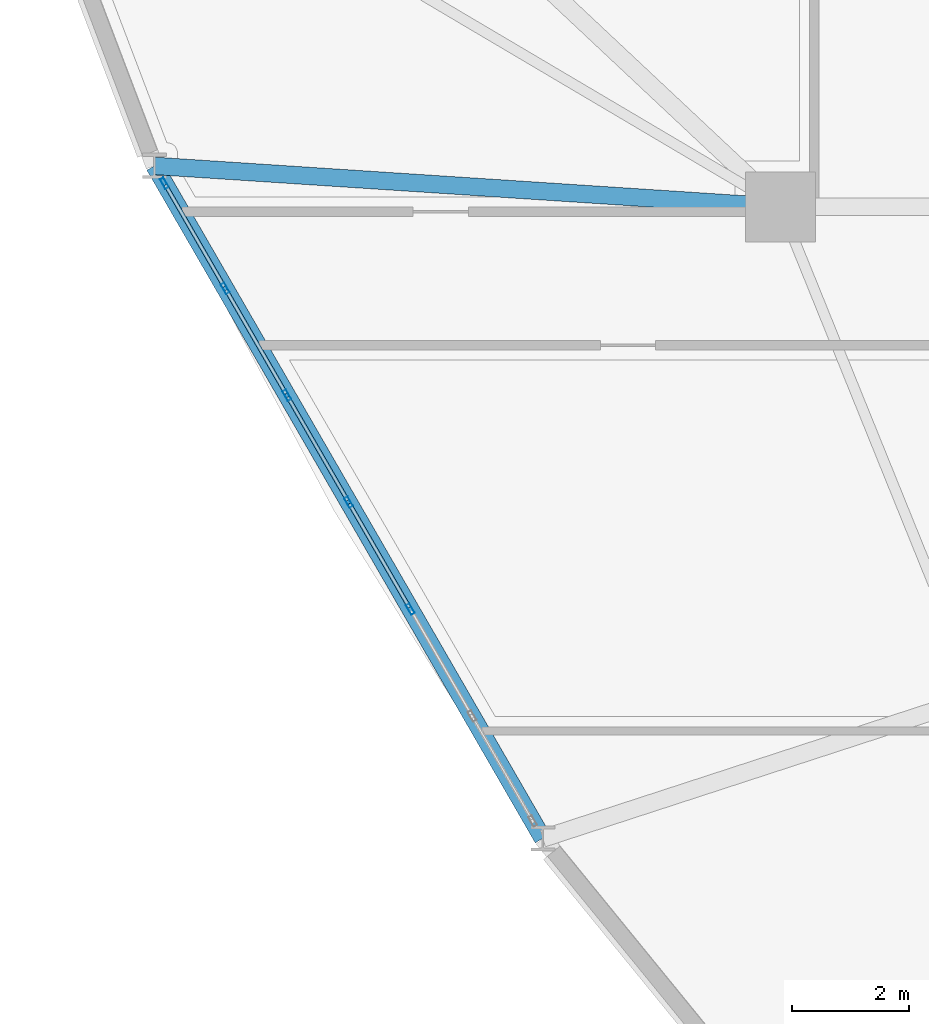
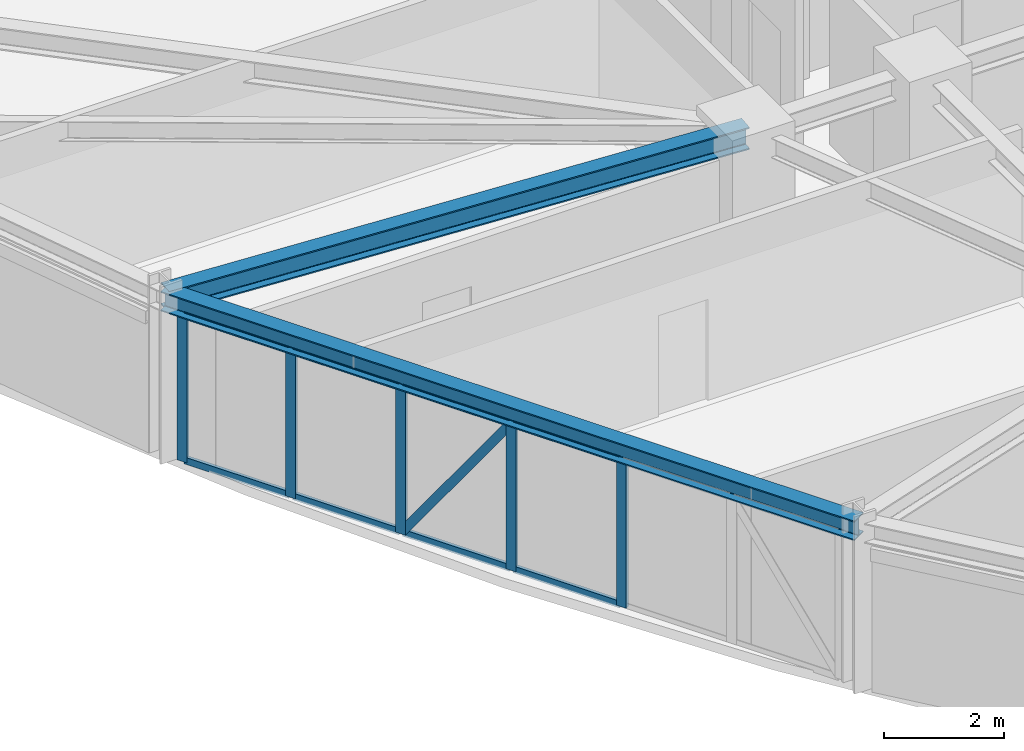
# One storey, part 4 of 18: 14 members, 2 beams, 1 element without a shape of its own.
"""IFC4 building model written with IfcOpenShell, lengths in metres."""

from ifc_helpers import new_model, si_unit, derived_unit, direction, frame, origin, origin_2d, place, context, subcontext, project, spatial, hollow_rectangle, i_section, extrude, source, transform, mapped, material, layer, layer_set, material_profile, profile_set, type_object, element, aggregate, save


model = new_model("IFC4")

# Units and contexts
model_context = context("Model", 3, precision=1e-05, world=origin(), true_north=direction((0.0, 1.0)))
body_context = subcontext(model_context, "Body", "Model", "MODEL_VIEW")
ifc_project = project(units=[si_unit("LENGTHUNIT", "METRE"), si_unit("AREAUNIT", "SQUARE_METRE"), si_unit("VOLUMEUNIT", "CUBIC_METRE"), si_unit("PLANEANGLEUNIT", "RADIAN"), si_unit("MASSUNIT", "GRAM", prefix="KILO"), derived_unit("THERMALTRANSMITTANCEUNIT", [(si_unit("POWERUNIT", "WATT"), 1), (si_unit("LENGTHUNIT", "METRE"), -2), (si_unit("THERMODYNAMICTEMPERATUREUNIT", "KELVIN"), -1)])], contexts=[model_context])

# Site, building, storey
site_placement = place(None, origin())
site = spatial("IfcSite", under=ifc_project, at=site_placement, CompositionType="ELEMENT")
building_placement = place(site_placement, origin())
building = spatial("IfcBuilding", under=site, at=building_placement, Name="Korsvarv Bourse and Concert Hall", CompositionType="ELEMENT")
storey_placement = place(building_placement, frame((0.0, 0.0, 139.800048828125)))
storey = spatial("IfcBuildingStorey", under=building, at=storey_placement, Name="L35", CompositionType="ELEMENT", Elevation=139.800048828125)

# Beams
ifc_material_1 = material(Name="Steel S355", Category="steel")
ifc_material_profile_1 = material_profile(ifc_material_1, i_section(OverallWidth=0.300048828125, OverallDepth=0.39990234375, WebThickness=0.013427734375, FlangeThickness=0.02392578125, FilletRadius=0.02099609375, at=origin_2d()), Name="HEB 400")
ifc_profile_set_1 = profile_set([ifc_material_profile_1], Name="Steel S355")
beam_type_1 = type_object("IfcBeamType", Name="BM-HEB400", PredefinedType="SPANDREL", material=ifc_profile_set_1)
shared_shape_1 = source(origin(), body_context, "Body", "SweptSolid", [
    extrude(i_section(OverallWidth=0.300048828125, OverallDepth=0.39990234375, WebThickness=0.013427734375, FlangeThickness=0.02392578125, FilletRadius=0.02099609375, at=origin_2d()), origin(), (0.0, 0.0, 1.0), 13.32763671875),
])
beam_1_placement = place(storey_placement, frame((13.453857421875, 33.1025390625, 3.199951171875), z_axis=(0.500002592159, -0.866023907196, 0.0), x_axis=(0.866023907196, 0.500002592159, 0.0)))
element("IfcBeam", 1, at=beam_1_placement, inside=storey, type_object=beam_type_1, Name="L35 beam B-09", PredefinedType="SPANDREL", context=body_context, shape_type="MappedRepresentation", body=[
    mapped(shared_shape_1, transform((0.0, 0.0, 0.0), scale=1.0)),
])
ifc_material_profile_2 = material_profile(ifc_material_1, i_section(OverallWidth=0.300048828125, OverallDepth=0.449951171875, WebThickness=0.013916015625, FlangeThickness=0.02587890625, FilletRadius=0.02099609375, at=origin_2d()), Name="HEB 450")
ifc_profile_set_2 = profile_set([ifc_material_profile_2], Name="Steel S355")
beam_type_2 = type_object("IfcBeamType", Name="BM-HEB450", PredefinedType="SPANDREL", material=ifc_profile_set_2)
shared_shape_2 = source(origin(), body_context, "Body", "SweptSolid", [
    extrude(i_section(OverallWidth=0.300048828125, OverallDepth=0.449951171875, WebThickness=0.013916015625, FlangeThickness=0.02587890625, FilletRadius=0.02099609375, at=origin_2d()), origin(), (0.0, 0.0, 1.0), 10.76904296875),
])
beam_2_placement = place(storey_placement, frame((13.453857421875, 33.1025390625, 3.175048828125), z_axis=(0.997869210127, -0.065245992065, 0.0), x_axis=(0.065245992065, 0.997869210127, 0.0)))
element("IfcBeam", 2, at=beam_2_placement, inside=storey, type_object=beam_type_2, Name="L35 beam B-08", PredefinedType="SPANDREL", context=body_context, shape_type="MappedRepresentation", body=[
    mapped(shared_shape_2, transform((0.0, 0.0, 0.0), scale=1.0)),
])

# Curtain wall, members
ifc_material_2 = material(Name="Anodised aluminium and triple low-E glazing", Category="glass")
ifc_layer = layer(ifc_material_2, 0.2099609375)
ifc_layer_set = layer_set([ifc_layer], Name="Anodised aluminium and triple low-E glazing")
curtain_wall_type = type_object("IfcCurtainWallType", Name="CW-SYS-2", PredefinedType="NOTDEFINED", material=ifc_layer_set)
curtain_wall_placement = place(storey_placement, origin())
curtain_wall = element("IfcCurtainWall", 3, at=curtain_wall_placement, inside=storey, type_object=curtain_wall_type, Name="L35 CW2 curtain wall CW-L35-F07", PredefinedType="NOTDEFINED")
ifc_material_3 = material(Name="Extruded aluminium EN AW-6063 T66", Category="aluminium")
ifc_material_profile_3 = material_profile(ifc_material_3, hollow_rectangle(XDim=0.070068359375, YDim=0.18994140625, WallThickness=0.0048828125, at=origin_2d()), Name="ALU-M 70x190")
ifc_profile_set_3 = profile_set([ifc_material_profile_3], Name="Extruded aluminium EN AW-6063 T66")
member_type_1 = type_object("IfcMemberType", Name="CWM-190", PredefinedType="MULLION", material=ifc_profile_set_3)
shared_shape_3 = source(origin(), body_context, "Body", "SweptSolid", [
    extrude(hollow_rectangle(XDim=0.070068359375, YDim=0.18994140625, WallThickness=0.0048828125, at=origin_2d()), origin(), (0.0, 0.0, 1.0), 3.0),
])
member_1_placement = place(storey_placement, frame((13.625732421875, 32.8046875, 0.0), z_axis=(0.0, 0.0, 1.0), x_axis=(0.866025213439, 0.500000329688, 0.0)))
member_1 = element("IfcMember", 4, at=member_1_placement, type_object=member_type_1, Name="CW2 mullion 1", PredefinedType="MULLION", context=body_context, shape_type="MappedRepresentation", body=[
    mapped(shared_shape_3, transform((0.0, 0.0, 0.0), scale=1.0)),
])
member_2_placement = place(storey_placement, frame((14.66748046875, 31.00048828125, 0.0), z_axis=(0.0, 0.0, 1.0), x_axis=(0.866025213439, 0.500000329688, 0.0)))
member_2 = element("IfcMember", 5, at=member_2_placement, type_object=member_type_1, Name="CW2 mullion 2", PredefinedType="MULLION", context=body_context, shape_type="MappedRepresentation", body=[
    mapped(shared_shape_3, transform((0.0, 0.0, 0.0), scale=1.0)),
])
member_3_placement = place(storey_placement, frame((15.7265625, 29.166015625, 0.0), z_axis=(0.0, 0.0, 1.0), x_axis=(0.866025213439, 0.500000329688, 0.0)))
member_3 = element("IfcMember", 6, at=member_3_placement, type_object=member_type_1, Name="CW2 mullion 3", PredefinedType="MULLION", context=body_context, shape_type="MappedRepresentation", body=[
    mapped(shared_shape_3, transform((0.0, 0.0, 0.0), scale=1.0)),
])
member_4_placement = place(storey_placement, frame((16.78564453125, 27.33154296875, 0.0), z_axis=(0.0, 0.0, 1.0), x_axis=(0.866025213439, 0.500000329688, 0.0)))
member_4 = element("IfcMember", 7, at=member_4_placement, type_object=member_type_1, Name="CW2 mullion 4", PredefinedType="MULLION", context=body_context, shape_type="MappedRepresentation", body=[
    mapped(shared_shape_3, transform((0.0, 0.0, 0.0), scale=1.0)),
])
member_5_placement = place(storey_placement, frame((17.844970703125, 25.4970703125, 0.0), z_axis=(0.0, 0.0, 1.0), x_axis=(0.866025213439, 0.500000329688, 0.0)))
member_5 = element("IfcMember", 8, at=member_5_placement, type_object=member_type_1, Name="CW2 mullion 5", PredefinedType="MULLION", context=body_context, shape_type="MappedRepresentation", body=[
    mapped(shared_shape_3, transform((0.0, 0.0, 0.0), scale=1.0)),
])
ifc_material_profile_4 = material_profile(ifc_material_3, hollow_rectangle(XDim=0.06494140625, YDim=0.139892578125, WallThickness=0.00390625, at=origin_2d()), Name="ALU-T 65x140")
ifc_profile_set_4 = profile_set([ifc_material_profile_4], Name="Extruded aluminium EN AW-6063 T66")
member_type_2 = type_object("IfcMemberType", Name="CWT-140", PredefinedType="USERDEFINED", material=ifc_profile_set_4)
shared_shape_4 = source(origin(), body_context, "Body", "SweptSolid", [
    extrude(hollow_rectangle(XDim=0.06494140625, YDim=0.139892578125, WallThickness=0.00390625, at=origin_2d()), origin(), (0.0, 0.0, 1.0), 2.013427734375),
])
member_6_placement = place(storey_placement, frame((13.643310546875, 32.7744140625, 0.032470703125), z_axis=(0.499960381356, -0.866048276411, 0.0), x_axis=(0.866048276411, 0.499960381356, 0.0)))
member_6 = element("IfcMember", 9, at=member_6_placement, type_object=member_type_2, Name="CW2 transom 1.1", ObjectType="TRANSOM", PredefinedType="USERDEFINED", context=body_context, shape_type="MappedRepresentation", body=[
    mapped(shared_shape_4, transform((0.0, 0.0, 0.0), scale=1.0)),
])
member_7_placement = place(storey_placement, frame((13.643310546875, 32.7744140625, 2.967529296875), z_axis=(0.499960381356, -0.866048276411, 0.0), x_axis=(0.866048276411, 0.499960381356, 0.0)))
member_7 = element("IfcMember", 10, at=member_7_placement, type_object=member_type_2, Name="CW2 transom 1.2", ObjectType="TRANSOM", PredefinedType="USERDEFINED", context=body_context, shape_type="MappedRepresentation", body=[
    mapped(shared_shape_4, transform((0.0, 0.0, 0.0), scale=1.0)),
])
shared_shape_5 = source(origin(), body_context, "Body", "SweptSolid", [
    extrude(hollow_rectangle(XDim=0.06494140625, YDim=0.139892578125, WallThickness=0.00390625, at=origin_2d()), origin(), (0.0, 0.0, 1.0), 2.04833984375),
])
member_8_placement = place(storey_placement, frame((14.68505859375, 30.97021484375, 0.032470703125), z_axis=(0.499908181442, -0.866078408764, 0.0), x_axis=(0.866078408764, 0.499908181442, 0.0)))
member_8 = element("IfcMember", 11, at=member_8_placement, type_object=member_type_2, Name="CW2 transom 2.1", ObjectType="TRANSOM", PredefinedType="USERDEFINED", context=body_context, shape_type="MappedRepresentation", body=[
    mapped(shared_shape_5, transform((0.0, 0.0, 0.0), scale=1.0)),
])
member_9_placement = place(storey_placement, frame((14.68505859375, 30.97021484375, 2.967529296875), z_axis=(0.499908181442, -0.866078408764, 0.0), x_axis=(0.866078408764, 0.499908181442, 0.0)))
member_9 = element("IfcMember", 12, at=member_9_placement, type_object=member_type_2, Name="CW2 transom 2.2", ObjectType="TRANSOM", PredefinedType="USERDEFINED", context=body_context, shape_type="MappedRepresentation", body=[
    mapped(shared_shape_5, transform((0.0, 0.0, 0.0), scale=1.0)),
])
member_10_placement = place(storey_placement, frame((15.744140625, 29.1357421875, 0.032470703125), z_axis=(0.499997581422, -0.866026800146, 0.0), x_axis=(0.866026800146, 0.499997581422, 0.0)))
member_10 = element("IfcMember", 13, at=member_10_placement, type_object=member_type_2, Name="CW2 transom 3.1", ObjectType="TRANSOM", PredefinedType="USERDEFINED", context=body_context, shape_type="MappedRepresentation", body=[
    mapped(shared_shape_5, transform((0.0, 0.0, 0.0), scale=1.0)),
])
member_11_placement = place(storey_placement, frame((15.744140625, 29.1357421875, 2.967529296875), z_axis=(0.499997581422, -0.866026800146, 0.0), x_axis=(0.866026800146, 0.499997581422, 0.0)))
member_11 = element("IfcMember", 14, at=member_11_placement, type_object=member_type_2, Name="CW2 transom 3.2", ObjectType="TRANSOM", PredefinedType="USERDEFINED", context=body_context, shape_type="MappedRepresentation", body=[
    mapped(shared_shape_5, transform((0.0, 0.0, 0.0), scale=1.0)),
])
member_12_placement = place(storey_placement, frame((16.80322265625, 27.30126953125, 0.032470703125), z_axis=(0.499997581422, -0.866026800146, 0.0), x_axis=(0.866026800146, 0.499997581422, 0.0)))
member_12 = element("IfcMember", 15, at=member_12_placement, type_object=member_type_2, Name="CW2 transom 4.1", ObjectType="TRANSOM", PredefinedType="USERDEFINED", context=body_context, shape_type="MappedRepresentation", body=[
    mapped(shared_shape_5, transform((0.0, 0.0, 0.0), scale=1.0)),
])
member_13_placement = place(storey_placement, frame((16.80322265625, 27.30126953125, 2.967529296875), z_axis=(0.499997581422, -0.866026800146, 0.0), x_axis=(0.866026800146, 0.499997581422, 0.0)))
member_13 = element("IfcMember", 16, at=member_13_placement, type_object=member_type_2, Name="CW2 transom 4.2", ObjectType="TRANSOM", PredefinedType="USERDEFINED", context=body_context, shape_type="MappedRepresentation", body=[
    mapped(shared_shape_5, transform((0.0, 0.0, 0.0), scale=1.0)),
])
ifc_material_profile_5 = material_profile(ifc_material_3, hollow_rectangle(XDim=0.06494140625, YDim=0.1650390625, WallThickness=0.0048828125, at=origin_2d()), Name="ALU-M 65x165")
ifc_profile_set_5 = profile_set([ifc_material_profile_5], Name="Extruded aluminium EN AW-6063 T66")
member_type_3 = type_object("IfcMemberType", Name="CWM-165", PredefinedType="MULLION", material=ifc_profile_set_5)
shared_shape_6 = source(origin(), body_context, "Body", "SweptSolid", [
    extrude(hollow_rectangle(XDim=0.06494140625, YDim=0.1650390625, WallThickness=0.0048828125, at=origin_2d()), origin(), (0.0, 0.0, 1.0), 3.526123046875),
])
member_14_placement = place(storey_placement, frame((15.744140625, 29.1357421875, 0.06494140625), z_axis=(0.290454859605, -0.503085818806, 0.813965990351), x_axis=(0.866026800146, 0.499997581422, 0.0)))
member_14 = element("IfcMember", 17, at=member_14_placement, type_object=member_type_3, Name="CW2 diagonal mullion 3", PredefinedType="MULLION", context=body_context, shape_type="MappedRepresentation", body=[
    mapped(shared_shape_6, transform((0.0, 0.0, 0.0), scale=1.0)),
])
aggregate(curtain_wall, [member_1, member_2, member_3, member_4, member_5, member_6, member_7, member_8, member_9, member_10, member_11, member_14, member_12, member_13])

save(model, "model.ifc")
